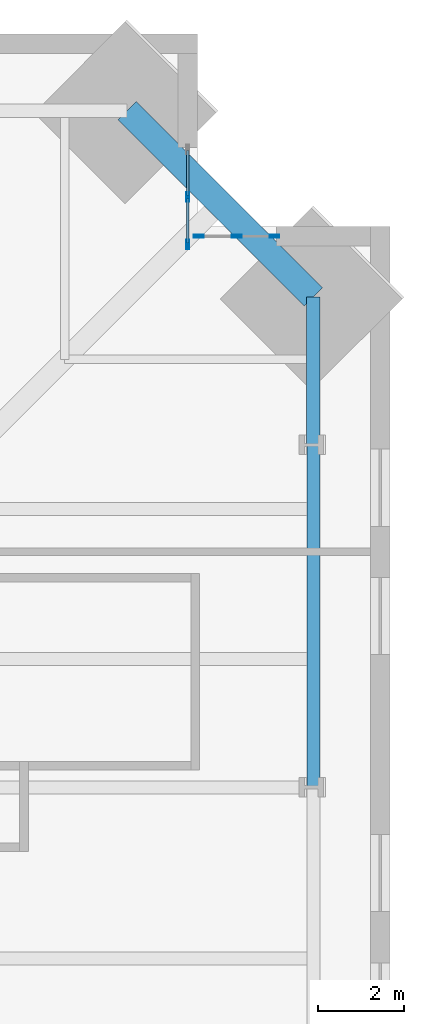
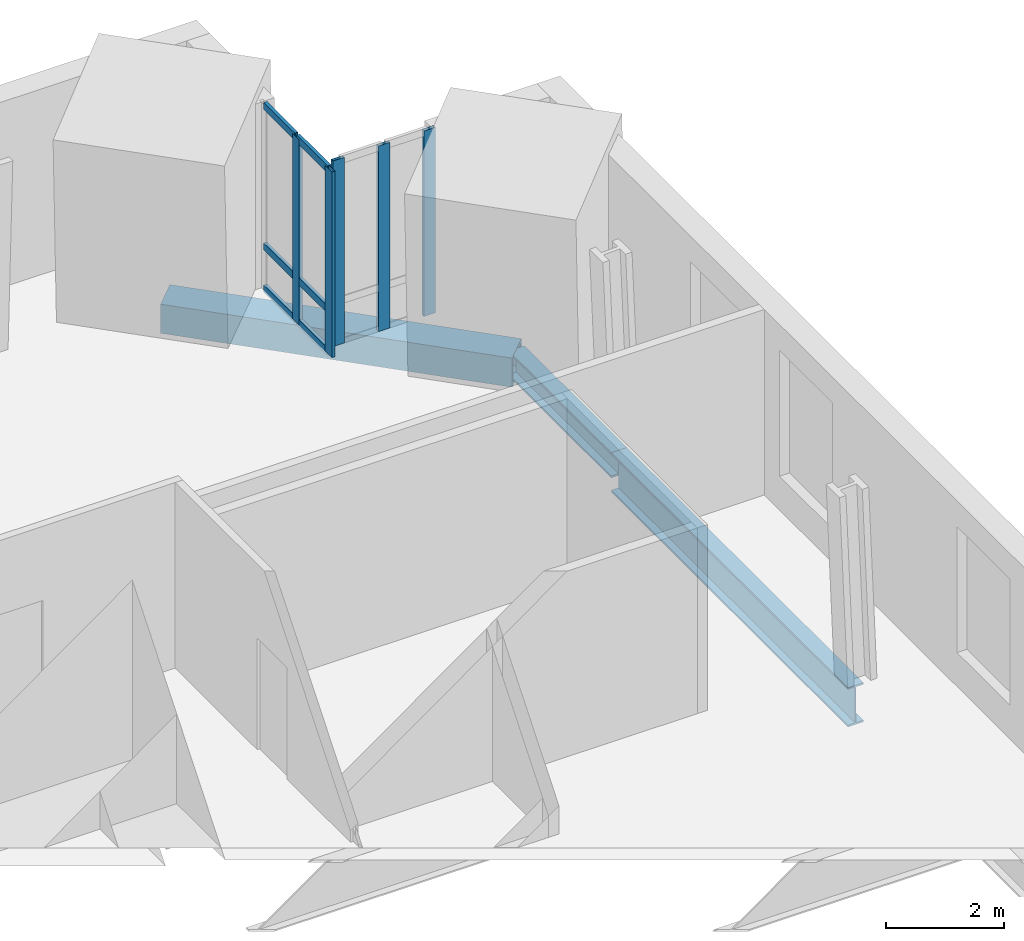
# One storey, part 10 of 18: 11 members, 3 beams, 2 elements without a shape of their own.
"""IFC4 building model written with IfcOpenShell, lengths in metres."""

from ifc_helpers import new_model, si_unit, direction, frame, origin, origin_2d, place, context, subcontext, project, spatial, hollow_rectangle, i_section, extrude, material, material_profile, profile_set, type_object, element, aggregate, save


model = new_model("IFC4")

# Units and contexts
model_context = context("Model", 3, precision=1e-05, world=origin(), true_north=direction((0.0, 1.0)))
body_context = subcontext(model_context, "Body", "Model", "MODEL_VIEW")
ifc_project = project(units=[si_unit("LENGTHUNIT", "METRE"), si_unit("AREAUNIT", "SQUARE_METRE"), si_unit("VOLUMEUNIT", "CUBIC_METRE"), si_unit("PLANEANGLEUNIT", "RADIAN"), si_unit("MASSUNIT", "GRAM", prefix="KILO")], contexts=[model_context])

# Site, building, storey
site_placement = place(None, origin())
site = spatial("IfcSite", under=ifc_project, at=site_placement, CompositionType="ELEMENT")
building_placement = place(site_placement, origin())
building = spatial("IfcBuilding", under=site, at=building_placement, Name="Peilmerk Tower", CompositionType="ELEMENT")
storey_placement = place(building_placement, frame((0.0, 0.0, 175.800048828125)))
storey = spatial("IfcBuildingStorey", under=building, at=storey_placement, Name="L37", CompositionType="ELEMENT", Elevation=175.800048828125)

# Beams
ifc_material_1 = material(Name="Steel S355", Category="steel")
ifc_material_profile_1 = material_profile(ifc_material_1, i_section(OverallWidth=0.302978515625, OverallDepth=0.81396484375, WebThickness=0.02099609375, FlangeThickness=0.0400390625, at=origin_2d()), Name="HEM 800")
ifc_profile_set_1 = profile_set([ifc_material_profile_1], Name="Steel S355")
beam_type_1 = type_object("IfcBeamType", Name="B15 HEM 800 edge beam", PredefinedType="SPANDREL", material=ifc_profile_set_1)
beam_1_placement = place(storey_placement, frame((23.80810546875, 8.0, -0.5771484375), z_axis=(0.0, 1.0, 0.0), x_axis=(-1.0, 0.0, 0.0)))
element("IfcBeam", 1, at=beam_1_placement, inside=storey, type_object=beam_type_1, Name="Edge beam L37", PredefinedType="SPANDREL", context=body_context, shape_type="SweptSolid", body=[
    extrude(i_section(OverallWidth=0.302978515625, OverallDepth=0.81396484375, WebThickness=0.02099609375, FlangeThickness=0.0400390625, at=origin_2d()), origin(), (0.0, 0.0, 1.0), 8.0),
])
ifc_material_2 = material(Name="Steel S460", Category="steel")
ifc_material_profile_2 = material_profile(ifc_material_2, hollow_rectangle(XDim=0.60009765625, YDim=0.60009765625, WallThickness=0.06005859375, at=origin_2d()), Name="BOX 600x600x60")
ifc_profile_set_2 = profile_set([ifc_material_profile_2], Name="Steel S460")
beam_type_2 = type_object("IfcBeamType", Name="B20 BOX 600x600x60 notch beam", PredefinedType="SPANDREL", material=ifc_profile_set_2)
beam_2_placement = place(storey_placement, frame((19.4580078125, 23.80810546875, -0.469970703125), z_axis=(0.707106781187, -0.707106781187, 0.0), x_axis=(0.707106781187, 0.707106781187, 0.0)))
element("IfcBeam", 2, at=beam_2_placement, inside=storey, type_object=beam_type_2, Name="Notch beam L37", PredefinedType="SPANDREL", context=body_context, shape_type="SweptSolid", body=[
    extrude(hollow_rectangle(XDim=0.60009765625, YDim=0.60009765625, WallThickness=0.06005859375, at=origin_2d()), origin(), (0.0, 0.0, 1.0), 6.15185546875),
])
ifc_material_profile_3 = material_profile(ifc_material_1, i_section(OverallWidth=0.305908203125, OverallDepth=0.52392578125, WebThickness=0.02099609375, FlangeThickness=0.0400390625, at=origin_2d()), Name="HEM 500")
ifc_profile_set_3 = profile_set([ifc_material_profile_3], Name="Steel S355")
beam_type_3 = type_object("IfcBeamType", Name="B33 HEM 500 edge beam", PredefinedType="SPANDREL", material=ifc_profile_set_3)
beam_3_placement = place(storey_placement, frame((23.80810546875, 16.0, -0.43212890625), z_axis=(0.0, 1.0, 0.0), x_axis=(-1.0, 0.0, 0.0)))
element("IfcBeam", 3, at=beam_3_placement, inside=storey, type_object=beam_type_3, Name="Edge beam L37", PredefinedType="SPANDREL", context=body_context, shape_type="SweptSolid", body=[
    extrude(i_section(OverallWidth=0.305908203125, OverallDepth=0.52392578125, WebThickness=0.02099609375, FlangeThickness=0.0400390625, at=origin_2d()), origin(), (0.0, 0.0, 1.0), 3.4580078125),
])

# Curtain wall, members
ifc_material_3 = material(Name="Aluminium stick curtain wall", Category="aluminium")
curtain_wall_type = type_object("IfcCurtainWallType", Name="CW3 stick curtain wall, 2250 module", PredefinedType="NOTDEFINED", material=ifc_material_3)
curtain_wall_1_placement = place(storey_placement, origin())
curtain_wall_1 = element("IfcCurtainWall", 4, at=curtain_wall_1_placement, inside=storey, type_object=curtain_wall_type, Name="Curtain wall CW3 NEA L37", PredefinedType="NOTDEFINED")
ifc_material_4 = material(Name="Aluminium EN AW-6063 T6", Category="aluminium")
ifc_material_profile_4 = material_profile(ifc_material_4, hollow_rectangle(XDim=0.06494140625, YDim=0.22509765625, WallThickness=0.00390625, at=origin_2d()), Name="AL 225x65x4")
ifc_profile_set_4 = profile_set([ifc_material_profile_4], Name="Aluminium EN AW-6063 T6")
member_type_1 = type_object("IfcMemberType", Name="CW3-M AL 225x65x4 mullion", PredefinedType="MULLION", material=ifc_profile_set_4)
member_1_placement = place(storey_placement, frame((20.875, 20.6826171875, 0.0), z_axis=(0.0, 0.0, 1.0), x_axis=(-1.0, 0.0, 0.0)))
member_1 = element("IfcMember", 5, at=member_1_placement, type_object=member_type_1, Name="CW3 mullion 1", PredefinedType="MULLION", context=body_context, shape_type="SweptSolid", body=[
    extrude(hollow_rectangle(XDim=0.06494140625, YDim=0.22509765625, WallThickness=0.00390625, at=origin_2d()), origin(), (0.0, 0.0, 1.0), 3.829833984375),
])
member_2_placement = place(storey_placement, frame((20.875, 21.79443359375, 0.0), z_axis=(0.0, 0.0, 1.0), x_axis=(-1.0, 0.0, 0.0)))
member_2 = element("IfcMember", 6, at=member_2_placement, type_object=member_type_1, Name="CW3 mullion 2", PredefinedType="MULLION", context=body_context, shape_type="SweptSolid", body=[
    extrude(hollow_rectangle(XDim=0.06494140625, YDim=0.22509765625, WallThickness=0.00390625, at=origin_2d()), origin(), (0.0, 0.0, 1.0), 3.829833984375),
])

curtain_wall_2_placement = place(storey_placement, origin())
curtain_wall_2 = element("IfcCurtainWall", 7, at=curtain_wall_2_placement, inside=storey, type_object=curtain_wall_type, Name="Curtain wall CW3 NEB L37", PredefinedType="NOTDEFINED")
member_3_placement = place(storey_placement, frame((21.132568359375, 20.875, 0.0), z_axis=(0.0, 0.0, 1.0), x_axis=(0.0, 1.0, 0.0)))
member_3 = element("IfcMember", 8, at=member_3_placement, type_object=member_type_1, Name="CW3 mullion 1", PredefinedType="MULLION", context=body_context, shape_type="SweptSolid", body=[
    extrude(hollow_rectangle(XDim=0.06494140625, YDim=0.22509765625, WallThickness=0.00390625, at=origin_2d()), origin(), (0.0, 0.0, 1.0), 3.829833984375),
])
member_4_placement = place(storey_placement, frame((22.019287109375, 20.875, 0.0), z_axis=(0.0, 0.0, 1.0), x_axis=(0.0, 1.0, 0.0)))
member_4 = element("IfcMember", 9, at=member_4_placement, type_object=member_type_1, Name="CW3 mullion 2", PredefinedType="MULLION", context=body_context, shape_type="SweptSolid", body=[
    extrude(hollow_rectangle(XDim=0.06494140625, YDim=0.22509765625, WallThickness=0.00390625, at=origin_2d()), origin(), (0.0, 0.0, 1.0), 3.829833984375),
])
member_5_placement = place(storey_placement, frame((22.90625, 20.875, 0.0), z_axis=(0.0, 0.0, 1.0), x_axis=(0.0, 1.0, 0.0)))
member_5 = element("IfcMember", 10, at=member_5_placement, type_object=member_type_1, Name="CW3 mullion 3", PredefinedType="MULLION", context=body_context, shape_type="SweptSolid", body=[
    extrude(hollow_rectangle(XDim=0.06494140625, YDim=0.22509765625, WallThickness=0.00390625, at=origin_2d()), origin(), (0.0, 0.0, 1.0), 3.829833984375),
])
aggregate(curtain_wall_2, [member_3, member_4, member_5])

# Member
ifc_material_profile_5 = material_profile(ifc_material_4, hollow_rectangle(XDim=0.06494140625, YDim=0.14990234375, WallThickness=0.0029296875, at=origin_2d()), Name="AL 150x65x3")
ifc_profile_set_5 = profile_set([ifc_material_profile_5], Name="Aluminium EN AW-6063 T6")
member_type_2 = type_object("IfcMemberType", Name="CW3-T AL 150x65x3 transom", PredefinedType="USERDEFINED", material=ifc_profile_set_5)
member_6_placement = place(storey_placement, frame((20.875, 20.715087890625, 0.032470703125), z_axis=(0.0, 1.0, 0.0), x_axis=(-1.0, 0.0, 0.0)))
member_6 = element("IfcMember", 11, at=member_6_placement, type_object=member_type_2, Name="CW3 transom 1.1", ObjectType="TRANSOM", PredefinedType="USERDEFINED", context=body_context, shape_type="SweptSolid", body=[
    extrude(hollow_rectangle(XDim=0.06494140625, YDim=0.14990234375, WallThickness=0.0029296875, at=origin_2d()), origin(), (0.0, 0.0, 1.0), 1.046630859375),
])

member_7_placement = place(storey_placement, frame((20.875, 20.715087890625, 0.89990234375), z_axis=(0.0, 1.0, 0.0), x_axis=(-1.0, 0.0, 0.0)))
member_7 = element("IfcMember", 12, at=member_7_placement, type_object=member_type_2, Name="CW3 transom 1.2", ObjectType="TRANSOM", PredefinedType="USERDEFINED", context=body_context, shape_type="SweptSolid", body=[
    extrude(hollow_rectangle(XDim=0.06494140625, YDim=0.14990234375, WallThickness=0.0029296875, at=origin_2d()), origin(), (0.0, 0.0, 1.0), 1.046630859375),
])

member_8_placement = place(storey_placement, frame((20.875, 20.715087890625, 3.79736328125), z_axis=(0.0, 1.0, 0.0), x_axis=(-1.0, 0.0, 0.0)))
member_8 = element("IfcMember", 13, at=member_8_placement, type_object=member_type_2, Name="CW3 transom 1.3", ObjectType="TRANSOM", PredefinedType="USERDEFINED", context=body_context, shape_type="SweptSolid", body=[
    extrude(hollow_rectangle(XDim=0.06494140625, YDim=0.14990234375, WallThickness=0.0029296875, at=origin_2d()), origin(), (0.0, 0.0, 1.0), 1.046630859375),
])

member_9_placement = place(storey_placement, frame((20.875, 21.826904296875, 0.032470703125), z_axis=(0.0, 1.0, 0.0), x_axis=(-1.0, 0.0, 0.0)))
member_9 = element("IfcMember", 14, at=member_9_placement, type_object=member_type_2, Name="CW3 transom 2.1", ObjectType="TRANSOM", PredefinedType="USERDEFINED", context=body_context, shape_type="SweptSolid", body=[
    extrude(hollow_rectangle(XDim=0.06494140625, YDim=0.14990234375, WallThickness=0.0029296875, at=origin_2d()), origin(), (0.0, 0.0, 1.0), 1.046875),
])

member_10_placement = place(storey_placement, frame((20.875, 21.826904296875, 0.89990234375), z_axis=(0.0, 1.0, 0.0), x_axis=(-1.0, 0.0, 0.0)))
member_10 = element("IfcMember", 15, at=member_10_placement, type_object=member_type_2, Name="CW3 transom 2.2", ObjectType="TRANSOM", PredefinedType="USERDEFINED", context=body_context, shape_type="SweptSolid", body=[
    extrude(hollow_rectangle(XDim=0.06494140625, YDim=0.14990234375, WallThickness=0.0029296875, at=origin_2d()), origin(), (0.0, 0.0, 1.0), 1.046875),
])

member_11_placement = place(storey_placement, frame((20.875, 21.826904296875, 3.79736328125), z_axis=(0.0, 1.0, 0.0), x_axis=(-1.0, 0.0, 0.0)))
member_11 = element("IfcMember", 16, at=member_11_placement, type_object=member_type_2, Name="CW3 transom 2.3", ObjectType="TRANSOM", PredefinedType="USERDEFINED", context=body_context, shape_type="SweptSolid", body=[
    extrude(hollow_rectangle(XDim=0.06494140625, YDim=0.14990234375, WallThickness=0.0029296875, at=origin_2d()), origin(), (0.0, 0.0, 1.0), 1.046875),
])

aggregate(curtain_wall_1, [member_1, member_2, member_6, member_7, member_8, member_9, member_10, member_11])

save(model, "model.ifc")
